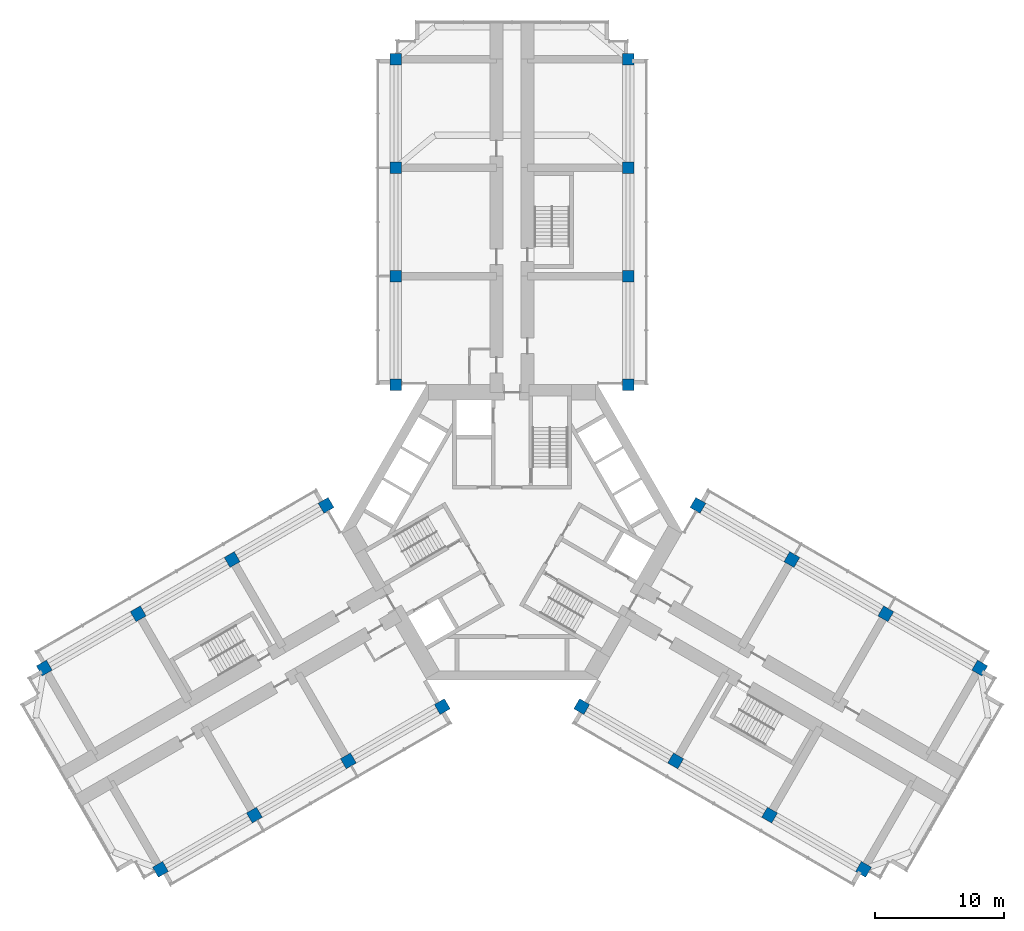
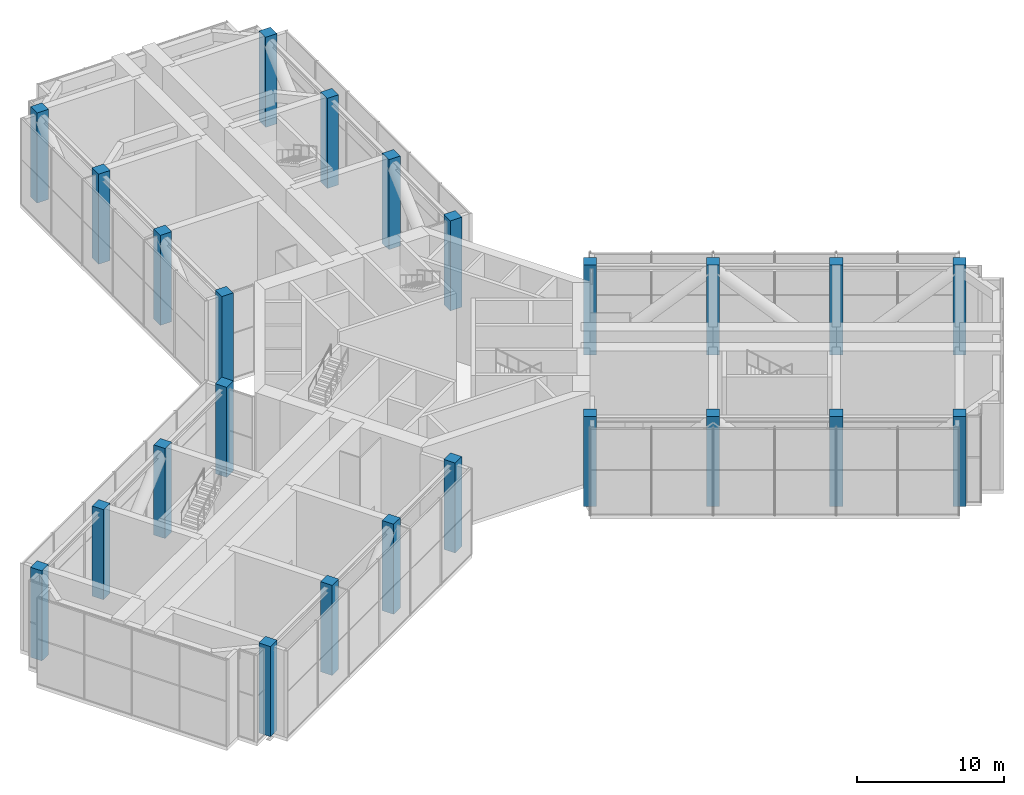
# One storey, part 1 of 16: 24 columns.
"""IFC4 building model written with IfcOpenShell, lengths in metres."""

from ifc_helpers import new_model, si_unit, direction, frame, origin, origin_2d, place, context, subcontext, project, spatial, rectangle, extrude, material, material_profile, profile_set, type_object, element, save


model = new_model("IFC4")

# Units and contexts
model_context = context("Model", 3, precision=1e-05, world=origin(), true_north=direction((0.0, 1.0)))
body_context = subcontext(model_context, "Body", "Model", "MODEL_VIEW")
ifc_project = project(units=[si_unit("LENGTHUNIT", "METRE"), si_unit("AREAUNIT", "SQUARE_METRE"), si_unit("VOLUMEUNIT", "CUBIC_METRE"), si_unit("PLANEANGLEUNIT", "RADIAN"), si_unit("MASSUNIT", "GRAM", prefix="KILO")], contexts=[model_context])

# Site, building, storey
site_placement = place(None, origin())
site = spatial("IfcSite", under=ifc_project, at=site_placement, CompositionType="ELEMENT")
building_placement = place(site_placement, origin())
building = spatial("IfcBuilding", under=site, at=building_placement, Name="Impinga Residences", CompositionType="ELEMENT")
storey_placement = place(building_placement, frame((0.0, 0.0, 181.0)))
storey = spatial("IfcBuildingStorey", under=building, at=storey_placement, Name="L45", CompositionType="ELEMENT", Elevation=181.0)

# Columns
ifc_material = material(Name="Concrete C60/75", Category="concrete")
ifc_material_profile = material_profile(ifc_material, rectangle(XDim=0.89990234375, YDim=0.89990234375, at=origin_2d()), Name="RC 900x900")
ifc_profile_set = profile_set([ifc_material_profile], Name="Concrete C60/75")
column_type = type_object("IfcColumnType", Name="C4 900x900 column", PredefinedType="COLUMN", material=ifc_profile_set)
for number, where, z_axis, x_axis, name in (
    (1, (-9.0, 11.431640625, 0.0), (0.0, 0.0, 1.0), (1.0, 0.0, 0.0), "Column C4 N1/NA L45"),
    (2, (9.0, 11.431640625, 0.0), (0.0, 0.0, 1.0), (1.0, 0.0, 0.0), "Column C4 N1/NF L45"),
    (3, (-9.0, 19.83154296875, 0.0), (0.0, 0.0, 1.0), (1.0, 0.0, 0.0), "Column C4 N2/NA L45"),
    (4, (9.0, 19.83154296875, 0.0), (0.0, 0.0, 1.0), (1.0, 0.0, 0.0), "Column C4 N2/NF L45"),
    (5, (-9.0, 28.2314453125, 0.0), (0.0, 0.0, 1.0), (1.0, 0.0, 0.0), "Column C4 N3/NA L45"),
    (6, (9.0, 28.2314453125, 0.0), (0.0, 0.0, 1.0), (1.0, 0.0, 0.0), "Column C4 N3/NF L45"),
    (7, (-9.0, 36.631591796875, 0.0), (0.0, 0.0, 1.0), (1.0, 0.0, 0.0), "Column C4 N4/NA L45"),
    (8, (9.0, 36.631591796875, 0.0), (0.0, 0.0, 1.0), (1.0, 0.0, 0.0), "Column C4 N4/NF L45"),
    (9, (-5.39990234375, -13.510009765625, 0.0), (0.0, 0.0, 1.0), (-0.5, 0.866025403784, 0.0), "Column C4 W1/WA L45"),
    (10, (-14.39990234375, 2.078369140625, 0.0), (0.0, 0.0, 1.0), (-0.5, 0.866025403784, 0.0), "Column C4 W1/WF L45"),
    (11, (-12.674560546875, -17.7099609375, 0.0), (0.0, 0.0, 1.0), (-0.5, 0.866025403784, 0.0), "Column C4 W2/WA L45"),
    (12, (-21.674560546875, -2.12158203125, 0.0), (0.0, 0.0, 1.0), (-0.5, 0.866025403784, 0.0), "Column C4 W2/WF L45"),
    (13, (-19.94921875, -21.909912109375, 0.0), (0.0, 0.0, 1.0), (-0.5, 0.866025403784, 0.0), "Column C4 W3/WA L45"),
    (14, (-28.94921875, -6.321533203125, 0.0), (0.0, 0.0, 1.0), (-0.5, 0.866025403784, 0.0), "Column C4 W3/WF L45"),
    (15, (-27.223876953125, -26.110107421875, 0.0), (0.0, 0.0, 1.0), (-0.5, 0.866025403784, 0.0), "Column C4 W4/WA L45"),
    (16, (-36.223876953125, -10.521484375, 0.0), (0.0, 0.0, 1.0), (-0.5, 0.866025403784, 0.0), "Column C4 W4/WF L45"),
    (17, (14.39990234375, 2.078369140625, 0.0), (0.0, 0.0, 1.0), (-0.5, -0.866025403784, 0.0), "Column C4 E1/EA L45"),
    (18, (5.39990234375, -13.510009765625, 0.0), (0.0, 0.0, 1.0), (-0.5, -0.866025403784, 0.0), "Column C4 E1/EF L45"),
    (19, (21.674560546875, -2.12158203125, 0.0), (0.0, 0.0, 1.0), (-0.5, -0.866025403784, 0.0), "Column C4 E2/EA L45"),
    (20, (12.674560546875, -17.7099609375, 0.0), (0.0, 0.0, 1.0), (-0.5, -0.866025403784, 0.0), "Column C4 E2/EF L45"),
    (21, (28.94921875, -6.321533203125, 0.0), (0.0, 0.0, 1.0), (-0.5, -0.866025403784, 0.0), "Column C4 E3/EA L45"),
    (22, (19.94921875, -21.909912109375, 0.0), (0.0, 0.0, 1.0), (-0.5, -0.866025403784, 0.0), "Column C4 E3/EF L45"),
    (23, (36.223876953125, -10.521484375, 0.0), (0.0, 0.0, 1.0), (-0.5, -0.866025403784, 0.0), "Column C4 E4/EA L45"),
    (24, (27.223876953125, -26.110107421875, 0.0), (0.0, 0.0, 1.0), (-0.5, -0.866025403784, 0.0), "Column C4 E4/EF L45"),
):
    element("IfcColumn", number, at=place(storey_placement, frame(where, z_axis=z_axis, x_axis=x_axis)), inside=storey, type_object=column_type, Name=name, PredefinedType="COLUMN", context=body_context, shape_type="SweptSolid", body=[
        extrude(rectangle(XDim=0.89990234375, YDim=0.89990234375, at=origin_2d()), origin(), (0.0, 0.0, 1.0), 7.5),
    ])

save(model, "model.ifc")
